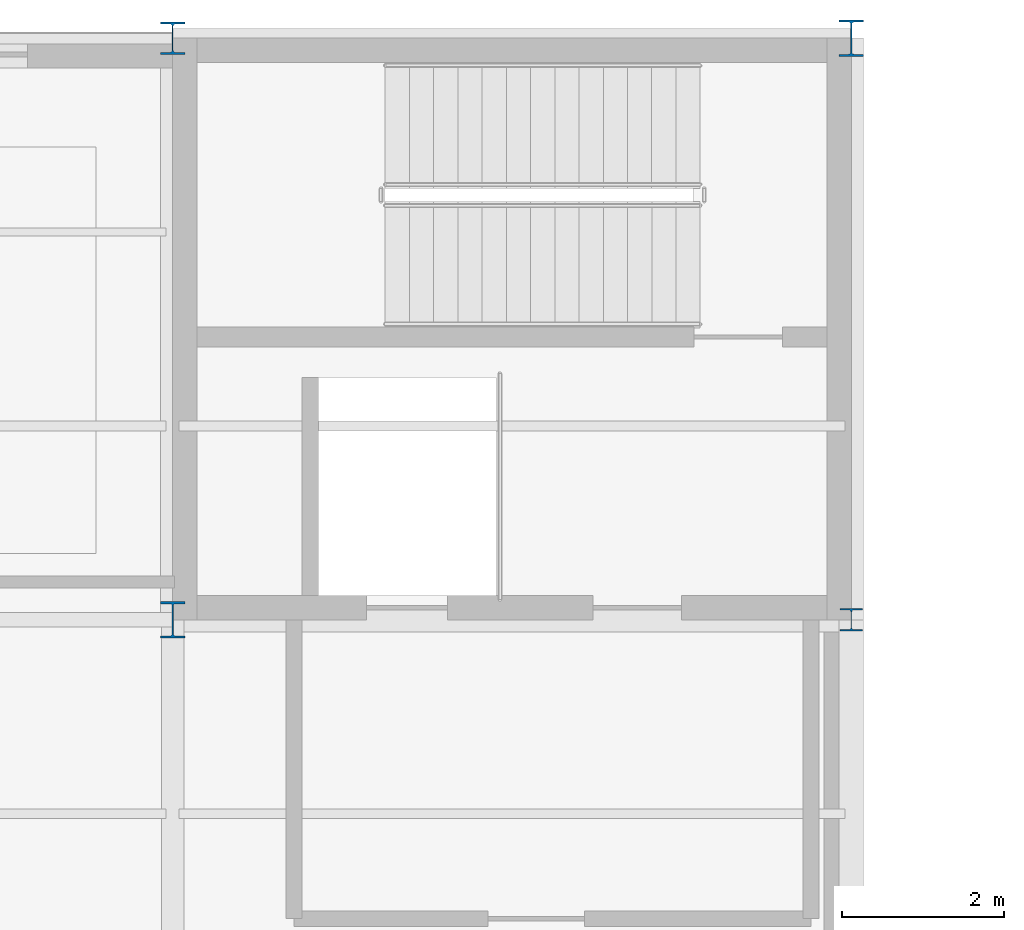
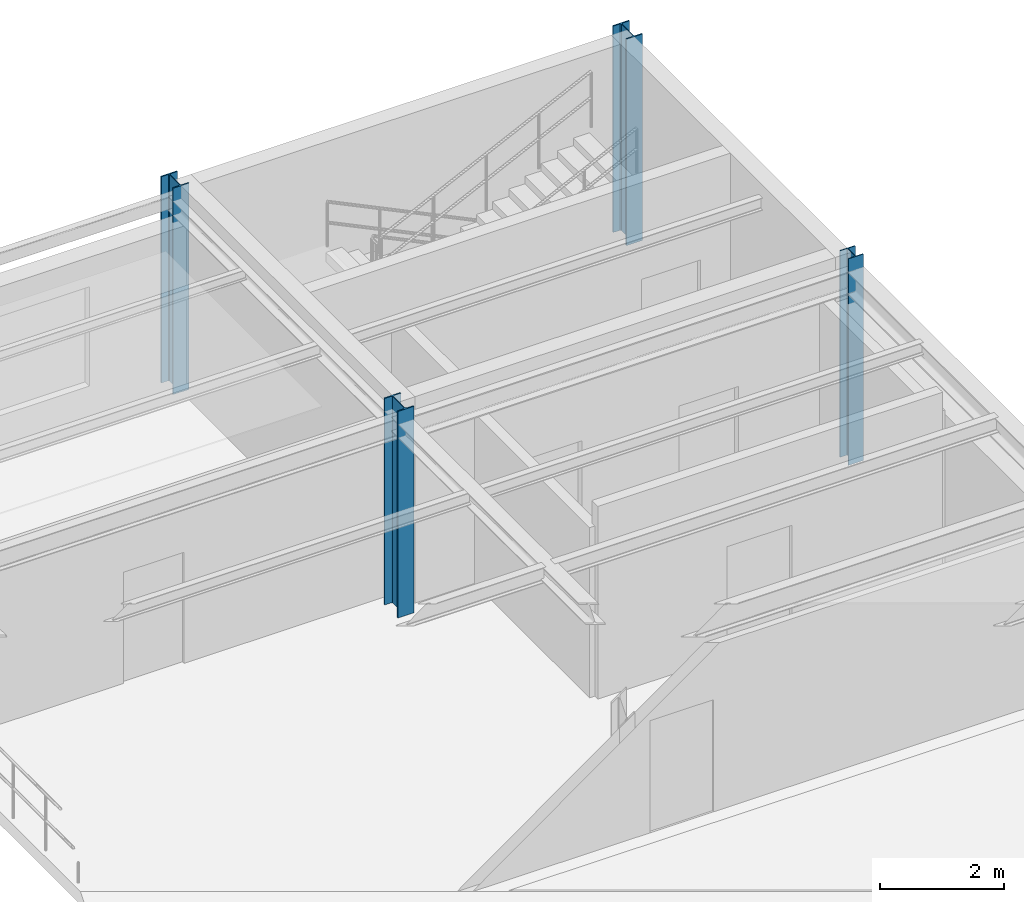
# One storey, part 17 of 70: 4 columns.
"""IFC4 building model written with IfcOpenShell, lengths in metres."""

from ifc_helpers import new_model, si_unit, derived_unit, direction, frame, origin, origin_2d, place, context, subcontext, project, spatial, i_section, extrude, material, material_profile, profile_set, type_object, element, save


model = new_model("IFC4")

# Units and contexts
model_context = context("Model", 3, precision=1e-05, world=origin(), true_north=direction((0.0, 1.0)))
body_context = subcontext(model_context, "Body", "Model", "MODEL_VIEW")
ifc_project = project(units=[si_unit("LENGTHUNIT", "METRE"), si_unit("AREAUNIT", "SQUARE_METRE"), si_unit("VOLUMEUNIT", "CUBIC_METRE"), si_unit("PLANEANGLEUNIT", "RADIAN"), si_unit("MASSUNIT", "GRAM", prefix="KILO"), derived_unit("THERMALTRANSMITTANCEUNIT", [(si_unit("POWERUNIT", "WATT"), 1), (si_unit("AREAUNIT", "SQUARE_METRE"), -1), (si_unit("THERMODYNAMICTEMPERATUREUNIT", "KELVIN"), -1)])], contexts=[model_context])

# Site, building, storey
site_placement = place(None, origin())
site = spatial("IfcSite", under=ifc_project, at=site_placement, CompositionType="ELEMENT")
building_placement = place(site_placement, origin())
building = spatial("IfcBuilding", under=site, at=building_placement, Name="Yasenodar Specialist Clinic", CompositionType="ELEMENT")
storey_placement = place(building_placement, frame((0.0, 0.0, 13.199951171875)))
storey = spatial("IfcBuildingStorey", under=building, at=storey_placement, Name="L03", CompositionType="ELEMENT", Elevation=13.199951171875)

# Columns
ifc_material = material(Name="Steel S355", Category="steel")
ifc_material_profile_1 = material_profile(ifc_material, i_section(OverallWidth=0.280029296875, OverallDepth=0.280029296875, WebThickness=0.010498046875, FlangeThickness=0.01806640625, FilletRadius=0.02392578125, at=origin_2d()), Name="HEB 280")
ifc_profile_set_1 = profile_set([ifc_material_profile_1], Name="Steel S355")
column_type_1 = type_object("IfcColumnType", Name="COL-ST-HEB280", PredefinedType="COLUMN", material=ifc_profile_set_1)
column_1_placement = place(storey_placement, frame((121.800048828125, 104.39990234375, 0.0), z_axis=(0.0, 0.0, 1.0), x_axis=(1.0, 0.0, 0.0)))
element("IfcColumn", 1, at=column_1_placement, inside=storey, type_object=column_type_1, Name="L03 Column V5-144", PredefinedType="COLUMN", context=body_context, shape_type="SweptSolid", body=[
    extrude(i_section(OverallWidth=0.280029296875, OverallDepth=0.280029296875, WebThickness=0.010498046875, FlangeThickness=0.01806640625, FilletRadius=0.02392578125, at=origin_2d()), origin(), (0.0, 0.0, 1.0), 4.050048828125),
])
ifc_material_profile_2 = material_profile(ifc_material, i_section(OverallWidth=0.300048828125, OverallDepth=0.39990234375, WebThickness=0.013427734375, FlangeThickness=0.02392578125, FilletRadius=0.027099609375, at=origin_2d()), Name="HEB 400")
ifc_profile_set_2 = profile_set([ifc_material_profile_2], Name="Steel S355")
column_type_2 = type_object("IfcColumnType", Name="COL-ST-HEB400", PredefinedType="COLUMN", material=ifc_profile_set_2)
column_2_placement = place(storey_placement, frame((113.39990234375, 111.60009765625, 0.0), z_axis=(0.0, 0.0, 1.0), x_axis=(1.0, 0.0, 0.0)))
element("IfcColumn", 2, at=column_2_placement, inside=storey, type_object=column_type_2, Name="L03 Column V5-136", PredefinedType="COLUMN", context=body_context, shape_type="SweptSolid", body=[
    extrude(i_section(OverallWidth=0.300048828125, OverallDepth=0.39990234375, WebThickness=0.013427734375, FlangeThickness=0.02392578125, FilletRadius=0.027099609375, at=origin_2d()), origin(), (0.0, 0.0, 1.0), 4.050048828125),
])
ifc_material_profile_3 = material_profile(ifc_material, i_section(OverallWidth=0.300048828125, OverallDepth=0.449951171875, WebThickness=0.013916015625, FlangeThickness=0.02587890625, FilletRadius=0.027099609375, at=origin_2d()), Name="HEB 450")
ifc_profile_set_3 = profile_set([ifc_material_profile_3], Name="Steel S355")
column_type_3 = type_object("IfcColumnType", Name="COL-ST-HEB450", PredefinedType="COLUMN", material=ifc_profile_set_3)
for number, where, z_axis, x_axis, name in (
    (3, (113.39990234375, 104.39990234375, 0.0), (0.0, 0.0, 1.0), (1.0, 0.0, 0.0), "L03 Column V5-135"),
    (4, (121.800048828125, 111.60009765625, 0.0), (0.0, 0.0, 1.0), (1.0, 0.0, 0.0), "L03 Column V5-145"),
):
    element("IfcColumn", number, at=place(storey_placement, frame(where, z_axis=z_axis, x_axis=x_axis)), inside=storey, type_object=column_type_3, Name=name, PredefinedType="COLUMN", context=body_context, shape_type="SweptSolid", body=[
        extrude(i_section(OverallWidth=0.300048828125, OverallDepth=0.449951171875, WebThickness=0.013916015625, FlangeThickness=0.02587890625, FilletRadius=0.027099609375, at=origin_2d()), origin(), (0.0, 0.0, 1.0), 4.050048828125),
    ])

save(model, "model.ifc")
